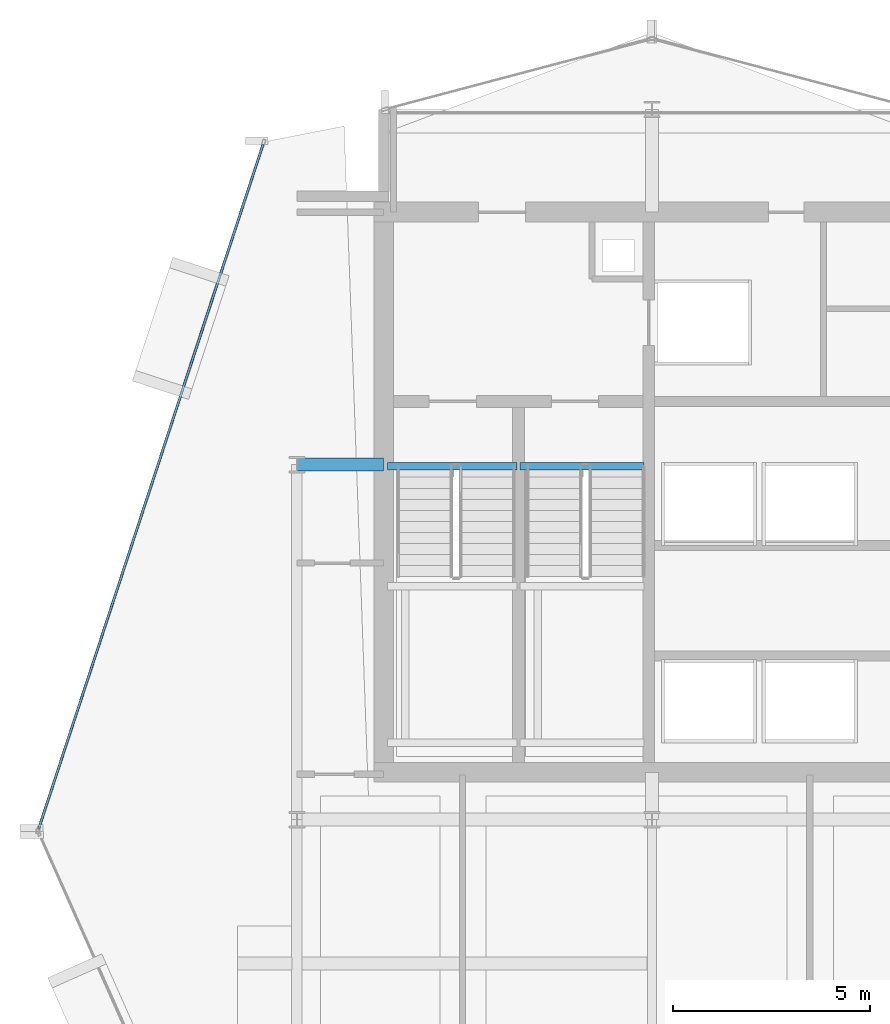
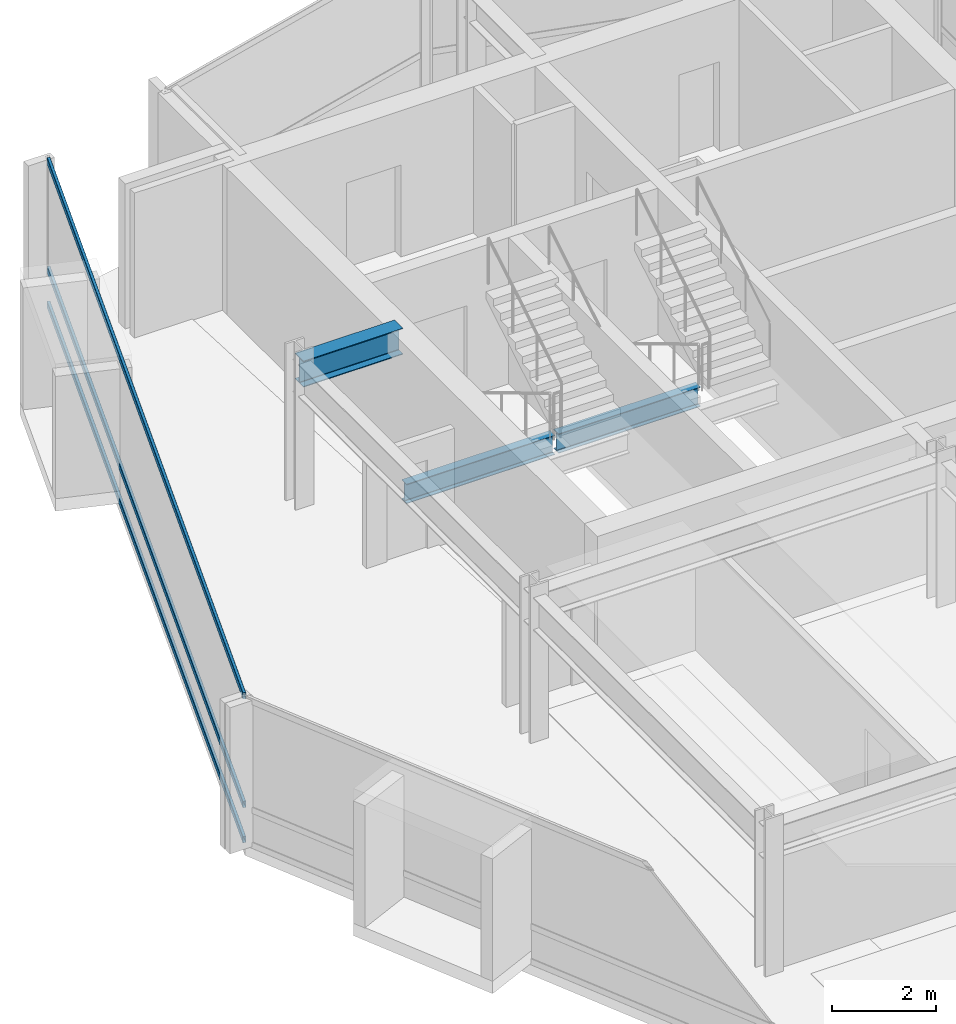
# One storey, part 15 of 27: 3 beams, 3 members, 1 element without a shape of its own.
"""IFC4 building model written with IfcOpenShell, lengths in metres."""

from ifc_helpers import new_model, si_unit, direction, frame, origin, origin_2d, place, context, subcontext, project, spatial, hollow_rectangle, i_section, extrude, material, layer, layer_set, material_profile, profile_set, type_object, element, aggregate, save


model = new_model("IFC4")

# Units and contexts
model_context = context("Model", 3, precision=1e-05, world=origin(), true_north=direction((0.0, 1.0)))
body_context = subcontext(model_context, "Body", "Model", "MODEL_VIEW")
ifc_project = project(units=[si_unit("LENGTHUNIT", "METRE"), si_unit("AREAUNIT", "SQUARE_METRE"), si_unit("VOLUMEUNIT", "CUBIC_METRE"), si_unit("PLANEANGLEUNIT", "RADIAN"), si_unit("MASSUNIT", "GRAM", prefix="KILO")], contexts=[model_context])

# Site, building, storey
site_placement = place(None, origin())
site = spatial("IfcSite", under=ifc_project, at=site_placement, CompositionType="ELEMENT")
building_placement = place(site_placement, origin())
building = spatial("IfcBuilding", under=site, at=building_placement, Name="Solvaryn Broadcast Tower", CompositionType="ELEMENT")
storey_placement = place(building_placement, frame((0.0, 0.0, 189.0)))
storey = spatial("IfcBuildingStorey", under=building, at=storey_placement, Name="L47", CompositionType="ELEMENT", Elevation=189.0)

# Beams
ifc_material_1 = material(Name="Steel ASTM A992 Grade 50", Category="steel")
ifc_material_profile_1 = material_profile(ifc_material_1, i_section(OverallWidth=0.323974609375, OverallDepth=0.611083984375, WebThickness=0.0126953125, FlangeThickness=0.01904296875, FilletRadius=0.014892578125, at=origin_2d()))
ifc_profile_set_1 = profile_set([ifc_material_profile_1], Name="Steel ASTM A992 Grade 50")
beam_type_1 = type_object("IfcBeamType", Name="BM-B1-W24X104", PredefinedType="BEAM", material=ifc_profile_set_1)
beam_1_placement = place(storey_placement, frame((9.0, 36.0, 3.114501953125), z_axis=(1.0, 0.0, 0.0), x_axis=(0.0, 1.0, 0.0)))
element("IfcBeam", 1, at=beam_1_placement, inside=storey, type_object=beam_type_1, Name="L47 Core Tie Beam CTW1", PredefinedType="BEAM", context=body_context, shape_type="SweptSolid", body=[
    extrude(i_section(OverallWidth=0.323974609375, OverallDepth=0.611083984375, WebThickness=0.0126953125, FlangeThickness=0.01904296875, FilletRadius=0.014892578125, at=origin_2d()), origin(), (0.0, 0.0, 1.0), 2.199951171875),
])
ifc_material_2 = material(Name="Steel ASTM A992 Grade 50", Category="steel")
ifc_material_profile_2 = material_profile(ifc_material_2, i_section(OverallWidth=0.18994140625, OverallDepth=0.45703125, WebThickness=0.009033203125, FlangeThickness=0.014404296875, FilletRadius=0.011962890625, at=origin_2d()))
ifc_profile_set_2 = profile_set([ifc_material_profile_2], Name="Steel ASTM A992 Grade 50")
beam_type_2 = type_object("IfcBeamType", Name="BM-B4-W18X50", PredefinedType="BEAM", material=ifc_profile_set_2)
beam_2_placement = place(storey_placement, frame((11.300048828125, 35.9599609375, -0.508544921875), z_axis=(1.0, 0.0, 0.0), x_axis=(0.0, 1.0, 0.0)))
element("IfcBeam", 2, at=beam_2_placement, inside=storey, type_object=beam_type_2, Name="L47 ST1 Stair Well Trimmer Beam", PredefinedType="BEAM", context=body_context, shape_type="SweptSolid", body=[
    extrude(i_section(OverallWidth=0.18994140625, OverallDepth=0.45703125, WebThickness=0.009033203125, FlangeThickness=0.014404296875, FilletRadius=0.011962890625, at=origin_2d()), origin(), (0.0, 0.0, 1.0), 3.280029296875),
])
beam_3_placement = place(storey_placement, frame((14.659912109375, 35.9599609375, -0.508544921875), z_axis=(1.0, 0.0, 0.0), x_axis=(0.0, 1.0, 0.0)))
element("IfcBeam", 3, at=beam_3_placement, inside=storey, type_object=beam_type_2, Name="L47 ST2 Stair Well Trimmer Beam", PredefinedType="BEAM", context=body_context, shape_type="SweptSolid", body=[
    extrude(i_section(OverallWidth=0.18994140625, OverallDepth=0.45703125, WebThickness=0.009033203125, FlangeThickness=0.014404296875, FilletRadius=0.011962890625, at=origin_2d()), origin(), (0.0, 0.0, 1.0), 3.14013671875),
])

# Curtain wall, members
ifc_material_3 = material(Name="Aluminium and Terracotta Unitised Curtain Wall", Category="masonry")
ifc_layer = layer(ifc_material_3, 0.199951171875)
ifc_layer_set = layer_set([ifc_layer], Name="CW-SYS2-LOWMID")
curtain_wall_type = type_object("IfcCurtainWallType", Name="CW-SYS2-LOWMID", PredefinedType="NOTDEFINED", material=ifc_layer_set)
curtain_wall_placement = place(storey_placement, origin())
curtain_wall = element("IfcCurtainWall", 4, at=curtain_wall_placement, inside=storey, type_object=curtain_wall_type, Name="L47 Curtain Wall DR1", PredefinedType="NOTDEFINED")
ifc_material_4 = material(Name="Anodised Aluminium 6063-T6", Category="aluminium")
ifc_material_profile_3 = material_profile(ifc_material_4, hollow_rectangle(XDim=0.06494140625, YDim=0.14990234375, WallThickness=0.00390625, InnerFilletRadius=0.00390625, OuterFilletRadius=0.008056640625, at=origin_2d()))
ifc_profile_set_3 = profile_set([ifc_material_profile_3], Name="Anodised Aluminium 6063-T6")
member_type = type_object("IfcMemberType", Name="CW-TRN-150", PredefinedType="USERDEFINED", material=ifc_profile_set_3)
member_1_placement = place(storey_placement, frame((8.144287109375, 44.125, 0.030029296875), z_axis=(-0.311557987209, -0.950227141586, 0.0), x_axis=(0.950227141586, -0.311557987209, 0.0)))
member_1 = element("IfcMember", 5, at=member_1_placement, type_object=member_type, Name="CWS2 transom 1.1", ObjectType="TRANSOM", PredefinedType="USERDEFINED", context=body_context, shape_type="SweptSolid", body=[
    extrude(hollow_rectangle(XDim=0.06494140625, YDim=0.14990234375, WallThickness=0.00390625, InnerFilletRadius=0.00390625, OuterFilletRadius=0.008056640625, at=origin_2d()), origin(), (0.0, 0.0, 1.0), 18.271484375),
])
member_2_placement = place(storey_placement, frame((8.144287109375, 44.125, 0.85009765625), z_axis=(-0.311557987209, -0.950227141586, 0.0), x_axis=(0.950227141586, -0.311557987209, 0.0)))
member_2 = element("IfcMember", 6, at=member_2_placement, type_object=member_type, Name="CWS2 transom 1.2", ObjectType="TRANSOM", PredefinedType="USERDEFINED", context=body_context, shape_type="SweptSolid", body=[
    extrude(hollow_rectangle(XDim=0.06494140625, YDim=0.14990234375, WallThickness=0.00390625, InnerFilletRadius=0.00390625, OuterFilletRadius=0.008056640625, at=origin_2d()), origin(), (0.0, 0.0, 1.0), 18.271484375),
])
member_3_placement = place(storey_placement, frame((8.144287109375, 44.125, 3.389892578125), z_axis=(-0.311557987209, -0.950227141586, 0.0), x_axis=(0.950227141586, -0.311557987209, 0.0)))
member_3 = element("IfcMember", 7, at=member_3_placement, type_object=member_type, Name="CWS2 transom 1.3", ObjectType="TRANSOM", PredefinedType="USERDEFINED", context=body_context, shape_type="SweptSolid", body=[
    extrude(hollow_rectangle(XDim=0.06494140625, YDim=0.14990234375, WallThickness=0.00390625, InnerFilletRadius=0.00390625, OuterFilletRadius=0.008056640625, at=origin_2d()), origin(), (0.0, 0.0, 1.0), 18.271484375),
])
aggregate(curtain_wall, [member_1, member_2, member_3])

save(model, "model.ifc")
